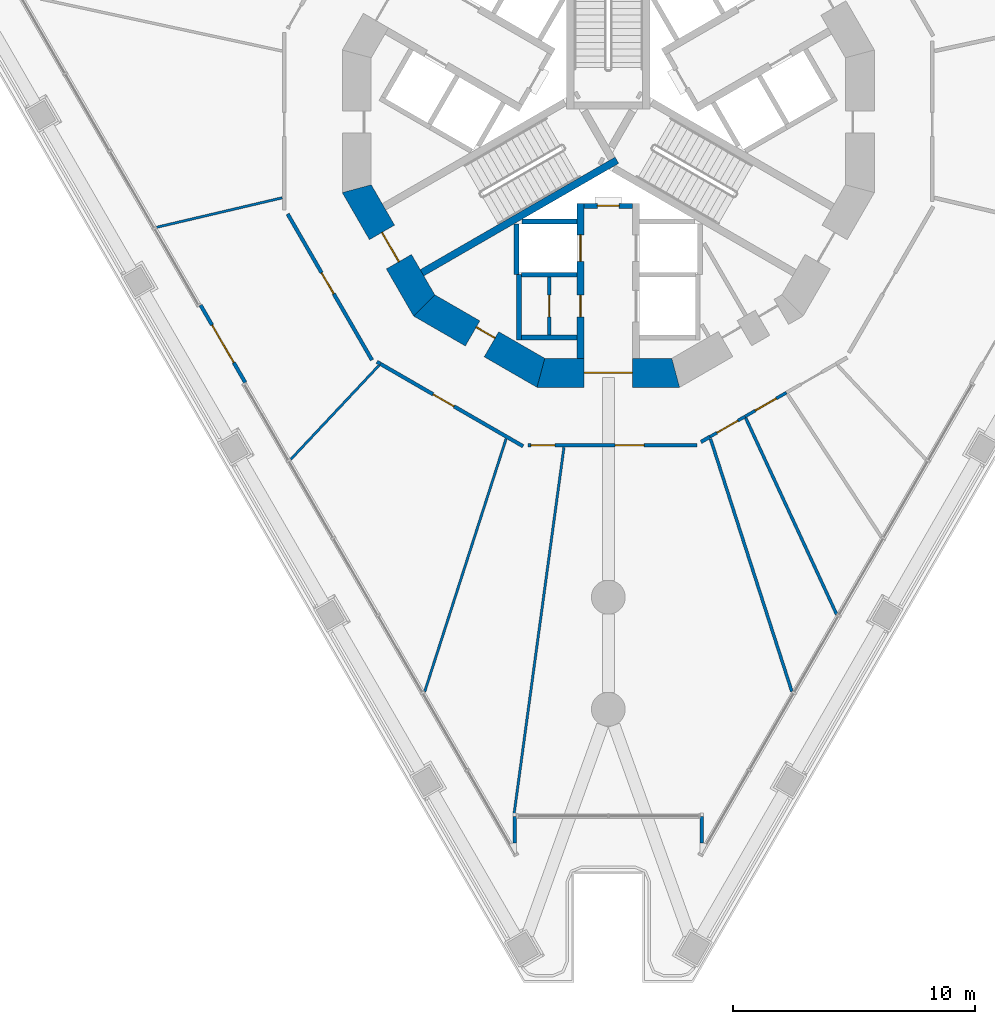
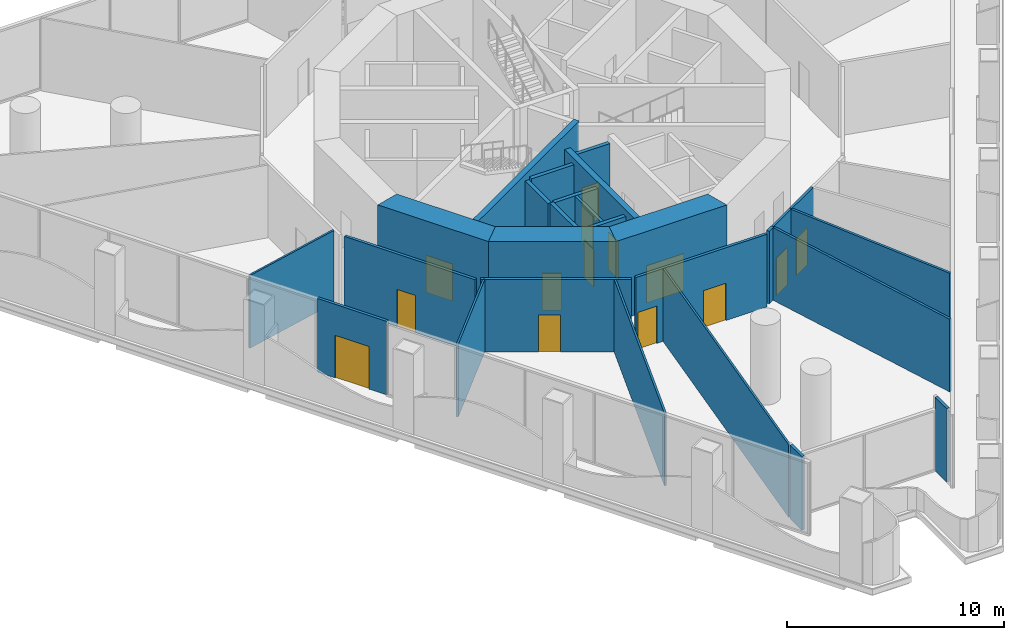
# One storey, part 10 of 21: 28 walls, 14 doors, 14 openings.
"""IFC4 building model written with IfcOpenShell, lengths in metres."""

import ifcopenshell
import ifcopenshell.guid

model = None  # the IFC model being written
_history = None  # IfcOwnerHistory: only IFC2X3 demands one
_inside = {}  # id of a spatial element -> (the spatial element, [elements in it])
_under = {}  # id of a project, library or spatial element -> (it, [spatial elements below it])
_declared = {}  # id of a project -> (the project, [libraries it declares])
_typed = {}  # id of a type object -> (the type object, [elements of that type])
_made_of = {}  # id of a material, layer set ... -> (it, [elements and type objects made of it])


def new_model(schema):
    """Start an empty IFC model of exactly this schema.

    Asked for "IFC4X3", IfcOpenShell would pick the latest addendum, in which some entities
    have other attributes; the version numbers below select the first issue.
    IFC2X3 requires an IfcOwnerHistory on every rooted entity: one is made here for all.
    """
    global model, _history
    if schema == "IFC4X3":
        model = ifcopenshell.file(schema_version=(4, 3, 0, 0))
    else:
        model = ifcopenshell.file(schema=schema)
    _inside.clear()
    _under.clear()
    _declared.clear()
    _typed.clear()
    _made_of.clear()
    _history = None
    if model.schema == "IFC2X3":
        org = make("IfcOrganization", Name="unknown")
        user = make(
            "IfcPersonAndOrganization",
            ThePerson=make("IfcPerson", FamilyName="unknown"),
            TheOrganization=org,
        )
        app = make(
            "IfcApplication",
            ApplicationDeveloper=org,
            Version="unknown",
            ApplicationFullName="unknown",
            ApplicationIdentifier="unknown",
        )
        _history = make(
            "IfcOwnerHistory",
            OwningUser=user,
            OwningApplication=app,
            ChangeAction="ADDED",
            CreationDate=0,
        )
    return model


def make(cls, **values):
    """One entity of the class cls with the attributes given. An attribute that is None is left unset."""
    return model.create_entity(
        cls, **{name: value for name, value in values.items() if value is not None}
    )


def rooted(cls, **values):
    """An entity with a GlobalId (a new one), such as an element, a storey or a relation."""
    return make(cls, GlobalId=ifcopenshell.guid.new(), OwnerHistory=_history, **values)


def si_unit(unit_type, name, prefix=None):
    """IfcSIUnit, for example si_unit("LENGTHUNIT", "METRE", prefix="MILLI")."""
    return make("IfcSIUnit", UnitType=unit_type, Prefix=prefix, Name=name)


def assignment(units):
    """IfcUnitAssignment: the units of a project."""
    return None if units is None else make("IfcUnitAssignment", Units=units)


def point(xyz):
    """IfcCartesianPoint."""
    return None if xyz is None else make("IfcCartesianPoint", Coordinates=xyz)


def direction(xyz):
    """IfcDirection."""
    return None if xyz is None else make("IfcDirection", DirectionRatios=xyz)


def frame(location, z_axis=None, x_axis=None):
    """IfcAxis2Placement3D, a coordinate frame: its origin and axes. An axis left out is left unset."""
    return make(
        "IfcAxis2Placement3D",
        Location=point(location),
        Axis=direction(z_axis),
        RefDirection=direction(x_axis),
    )


def frame_2d(location, x_axis=None):
    """IfcAxis2Placement2D, a coordinate frame in the plane: its origin and x axis."""
    return make(
        "IfcAxis2Placement2D", Location=point(location), RefDirection=direction(x_axis)
    )


def origin():
    """The frame at (0, 0, 0) with its axes left unset."""
    return frame((0.0, 0.0, 0.0))


def place(relative_to, where):
    """IfcLocalPlacement: puts the frame where relative to a parent placement (None: the world)."""
    return make(
        "IfcLocalPlacement", PlacementRelTo=relative_to, RelativePlacement=where
    )


def context(
    kind, dimensions, precision=None, world=None, true_north=None, identifier=None
):
    """IfcGeometricRepresentationContext, for example the 3D "Model" context."""
    return make(
        "IfcGeometricRepresentationContext",
        ContextIdentifier=identifier,
        ContextType=kind,
        CoordinateSpaceDimension=dimensions,
        Precision=precision,
        WorldCoordinateSystem=world,
        TrueNorth=true_north,
    )


def subcontext(parent, identifier, kind, view, scale=None):
    """IfcGeometricRepresentationSubContext, for example "Body" below "Model"."""
    return make(
        "IfcGeometricRepresentationSubContext",
        ContextIdentifier=identifier,
        ContextType=kind,
        ParentContext=parent,
        TargetScale=scale,
        TargetView=view,
    )


def project(units=None, contexts=None):
    """IfcProject with its units and contexts."""
    return rooted(
        "IfcProject",
        Name="project",
        RepresentationContexts=contexts,
        UnitsInContext=assignment(units),
    )


def spatial(cls, under=None, at=None, **own):
    """A site, building, storey or space (cls), placed at a placement, below another one or the project."""
    s = rooted(cls, ObjectPlacement=at, **own)
    if under is not None:
        _under.setdefault(under.id(), (under, []))[1].append(s)
    return s


def polyline(points):
    """IfcPolyline through the points."""
    return make("IfcPolyline", Points=[point(p) for p in points])


def profile(cls, at=None, kind="AREA", **sizes):
    """A parametric profile (cls). Its sizes go by their IFC names, for example OverallWidth=200.0."""
    return make(cls, ProfileType=kind, Position=at, **sizes)


def rectangle(**sizes):
    """IfcRectangleProfileDef."""
    return profile("IfcRectangleProfileDef", **sizes)


def outline(outer, holes=None, kind="AREA"):
    """IfcArbitraryClosedProfileDef: a profile drawn as a closed curve; with holes, ...WithVoids."""
    if holes is None:
        return make("IfcArbitraryClosedProfileDef", ProfileType=kind, OuterCurve=outer)
    return make(
        "IfcArbitraryProfileDefWithVoids",
        ProfileType=kind,
        OuterCurve=outer,
        InnerCurves=holes,
    )


def extrude(swept, where, along, depth):
    """IfcExtrudedAreaSolid: the profile swept, set in the frame where, extruded along a direction by depth."""
    return make(
        "IfcExtrudedAreaSolid",
        SweptArea=swept,
        Position=where,
        ExtrudedDirection=direction(along),
        Depth=depth,
    )


def shape(context_of_items, identifier, shape_type, items):
    """IfcShapeRepresentation: the items that make up one representation, for example the "Body"."""
    return make(
        "IfcShapeRepresentation",
        ContextOfItems=context_of_items,
        RepresentationIdentifier=identifier,
        RepresentationType=shape_type,
        Items=items,
    )


def material(Name=None, Category=None):
    """IfcMaterial."""
    return make("IfcMaterial", Name=Name, Category=Category)


def layer(
    of_material, thickness, ventilated=None, Name=None, Category=None, Priority=None
):
    """IfcMaterialLayer: one layer of a wall or slab, of a material (None: an air gap)."""
    return make(
        "IfcMaterialLayer",
        Material=of_material,
        LayerThickness=thickness,
        IsVentilated=ventilated,
        Name=Name,
        Category=Category,
        Priority=Priority,
    )


def layer_set(layers, Name=None):
    """IfcMaterialLayerSet."""
    return make("IfcMaterialLayerSet", MaterialLayers=layers, LayerSetName=Name)


def made_of(thing, what):
    """Note that an element or type object is made of a material, layer set ...; save() writes the relation."""
    if what is not None:
        _made_of.setdefault(what.id(), (what, []))[1].append(thing)
    return thing


def type_object(cls, material=None, **own):
    """A type object (cls), such as IfcWallType, which elements share."""
    return made_of(rooted(cls, **own), material)


def element(
    cls,
    number,
    at=None,
    inside=None,
    cuts=None,
    type_object=None,
    material=None,
    context=None,
    identifier="Body",
    shape_type=None,
    held_by="IfcProductDefinitionShape",
    body=None,
    shapes=None,
    **own,
):
    """One element of the class cls, such as IfcWall. Its Tag is "e" and its number.

    at: its placement. inside: the storey or other place that contains it. cuts: it is an
    opening in that element (IfcRelVoidsElement). A single representation is given by context,
    identifier, shape_type and body (its items); several are given by shapes. held_by: the class
    of the entity that holds the representations. save() writes the other relations.
    """
    e = rooted(cls, Tag="e%d" % number, ObjectPlacement=at, **own)
    if body is not None:
        shapes = [shape(context, identifier, shape_type, body)]
    if shapes is not None:
        e.Representation = make(held_by, Representations=shapes)
    if inside is not None:
        _inside.setdefault(inside.id(), (inside, []))[1].append(e)
    if cuts is not None:
        rooted(
            "IfcRelVoidsElement", RelatingBuildingElement=cuts, RelatedOpeningElement=e
        )
    if type_object is not None:
        _typed.setdefault(type_object.id(), (type_object, []))[1].append(e)
    return made_of(e, material)


def fill(opening, filler):
    """IfcRelFillsElement: the door or window that sits in an opening."""
    return rooted(
        "IfcRelFillsElement",
        RelatingOpeningElement=opening,
        RelatedBuildingElement=filler,
    )


def aggregate(whole, parts):
    """IfcRelAggregates: a whole, such as a stair, and the parts it consists of."""
    return rooted("IfcRelAggregates", RelatingObject=whole, RelatedObjects=parts)


def save(model, path):
    """Write the relations noted so far, then the file.

    IfcRelAggregates (storeys below a building ...), IfcRelContainedInSpatialStructure (elements
    in a storey), IfcRelDefinesByType, IfcRelAssociatesMaterial and IfcRelDeclares: one each for
    every whole, place, type object, material and project.
    """
    for whole, parts in _under.values():
        aggregate(whole, parts)
    for where, things in _inside.values():
        rooted(
            "IfcRelContainedInSpatialStructure",
            RelatedElements=things,
            RelatingStructure=where,
        )
    for kind, things in _typed.values():
        rooted("IfcRelDefinesByType", RelatedObjects=things, RelatingType=kind)
    for what, things in _made_of.values():
        rooted("IfcRelAssociatesMaterial", RelatedObjects=things, RelatingMaterial=what)
    for by, libraries in _declared.values():
        rooted("IfcRelDeclares", RelatingContext=by, RelatedDefinitions=libraries)
    model.write(path)


model = new_model("IFC4")

# Units and contexts
model_context = context("Model", 3, precision=1e-05, world=origin(), true_north=direction((0.0, 1.0)))
body_context = subcontext(model_context, "Body", "Model", "MODEL_VIEW")
ifc_project = project(units=[si_unit("LENGTHUNIT", "METRE"), si_unit("AREAUNIT", "SQUARE_METRE"), si_unit("VOLUMEUNIT", "CUBIC_METRE"), si_unit("PLANEANGLEUNIT", "RADIAN"), si_unit("MASSUNIT", "GRAM", prefix="KILO")], contexts=[model_context])

# Site, building, storey
site_placement = place(None, origin())
site = spatial("IfcSite", under=ifc_project, at=site_placement, CompositionType="ELEMENT")
building_placement = place(site_placement, origin())
building = spatial("IfcBuilding", under=site, at=building_placement, Name="Trine Commons Tower", CompositionType="ELEMENT")
storey_placement = place(building_placement, frame((0.0, 0.0, 9.0)))
storey = spatial("IfcBuildingStorey", under=building, at=storey_placement, Name="L01", CompositionType="ELEMENT", Elevation=9.0)

# Wall, opening, door
ifc_material_1 = material(Name="Plasterboard on steel stud", Category="steel")
ifc_layer_1 = layer(ifc_material_1, 0.14990234375)
ifc_layer_set_1 = layer_set([ifc_layer_1], Name="Plasterboard on steel stud")
wall_type_1 = type_object("IfcWallType", Name="Compartment wall 150 mm, EI 60", PredefinedType="PARTITIONING", material=ifc_layer_set_1)
wall_1_placement = place(storey_placement, frame((70.219482421875, 52.6171875, 0.0), z_axis=(0.0, 0.0, 1.0), x_axis=(-0.49997871953, 0.866037689721, 0.0)))
wall_1 = element("IfcWall", 1, at=wall_1_placement, inside=storey, type_object=wall_type_1, Name="Partition P1006", PredefinedType="PARTITIONING", context=body_context, shape_type="SweptSolid", body=[
    extrude(rectangle(XDim=6.982177734375, YDim=0.14990234375, at=frame_2d((3.4912109375, 0.0))), origin(), (0.0, 0.0, 1.0), 4.10009765625),
])
opening_1_placement = place(wall_1_placement, frame((3.168701171875, 0.0, 0.0)))
opening_1 = element("IfcOpeningElement", 2, at=opening_1_placement, cuts=wall_1, Name="Opening D-P102", PredefinedType="OPENING", context=body_context, shape_type="SweptSolid", body=[
    extrude(rectangle(XDim=1.0, YDim=2.10009765625, at=frame_2d((0.5, 1.050048828125))), frame((0.0, 0.0849609375, 0.0), z_axis=(0.0, -1.0, 0.0), x_axis=(1.0, 0.0, 0.0)), (0.0, 0.0, 1.0), 0.169921875),
])
ifc_material_2 = material(Name="Timber fire door set", Category="wood")
door_type_1 = type_object("IfcDoorType", Name="Single swing door 1000x2100, FD30S", OperationType="SINGLE_SWING_LEFT", PredefinedType="DOOR", material=ifc_material_2)
door_1_placement = place(opening_1_placement, origin())
door_1 = element("IfcDoor", 3, at=door_1_placement, inside=storey, type_object=door_type_1, Name="Door D-P102", OperationType="SINGLE_SWING_LEFT", OverallHeight=2.10009765625, OverallWidth=1.0, PredefinedType="DOOR", context=body_context, shape_type="SweptSolid", body=[
    extrude(rectangle(XDim=1.0, YDim=2.10009765625, at=frame_2d((0.5, 1.050048828125))), frame((0.0, 0.02490234375, 0.0), z_axis=(0.0, -1.0, 0.0), x_axis=(1.0, 0.0, 0.0)), (0.0, 0.0, 1.0), 0.050048828125),
])
fill(opening_1, door_1)

# Wall
wall_2_placement = place(storey_placement, frame((70.424560546875, 52.5419921875, 0.0), z_axis=(0.0, 0.0, 1.0), x_axis=(0.866286070807, -0.499548239438, 0.0)))
element("IfcWall", 4, at=wall_2_placement, inside=storey, type_object=wall_type_1, Name="Partition P1009", PredefinedType="PARTITIONING", context=body_context, shape_type="SweptSolid", body=[
    extrude(rectangle(XDim=0.161865234375, YDim=0.14990234375, at=frame_2d((0.0810546875, 0.0))), origin(), (0.0, 0.0, 1.0), 4.10009765625),
])

# Wall, opening, door
wall_3_placement = place(storey_placement, frame((76.471435546875, 49.051025390625, 0.0), z_axis=(0.0, 0.0, 1.0), x_axis=(-0.866028115054, 0.499995303914, 0.0)))
wall_3 = element("IfcWall", 5, at=wall_3_placement, inside=storey, type_object=wall_type_1, Name="Partition P1011", PredefinedType="PARTITIONING", context=body_context, shape_type="SweptSolid", body=[
    extrude(rectangle(XDim=6.81591796875, YDim=0.14990234375, at=frame_2d((3.407958984375, 0.0))), origin(), (0.0, 0.0, 1.0), 4.10009765625),
])
opening_2_placement = place(wall_3_placement, frame((3.297607421875, 0.0, 0.0)))
opening_2 = element("IfcOpeningElement", 6, at=opening_2_placement, cuts=wall_3, Name="Opening D-P106", PredefinedType="OPENING", context=body_context, shape_type="SweptSolid", body=[
    extrude(rectangle(XDim=1.0, YDim=2.10009765625, at=frame_2d((0.5, 1.050048828125))), frame((0.0, 0.0849609375, 0.0), z_axis=(0.0, -1.0, 0.0), x_axis=(1.0, 0.0, 0.0)), (0.0, 0.0, 1.0), 0.169921875),
])
door_2_placement = place(opening_2_placement, origin())
door_2 = element("IfcDoor", 7, at=door_2_placement, inside=storey, type_object=door_type_1, Name="Door D-P106", OperationType="SINGLE_SWING_LEFT", OverallHeight=2.10009765625, OverallWidth=1.0, PredefinedType="DOOR", context=body_context, shape_type="SweptSolid", body=[
    extrude(rectangle(XDim=1.0, YDim=2.10009765625, at=frame_2d((0.5, 1.050048828125))), frame((0.0, 0.02490234375, 0.0), z_axis=(0.0, -1.0, 0.0), x_axis=(1.0, 0.0, 0.0)), (0.0, 0.0, 1.0), 0.050048828125),
])
fill(opening_2, door_2)

# Wall, openings, doors
wall_4_placement = place(storey_placement, frame((83.668701171875, 49.08837890625, 0.0), z_axis=(0.0, 0.0, 1.0), x_axis=(-1.0, 0.0, 0.0)))
wall_4 = element("IfcWall", 8, at=wall_4_placement, inside=storey, type_object=wall_type_1, Name="Partition P1015", PredefinedType="PARTITIONING", context=body_context, shape_type="SweptSolid", body=[
    extrude(rectangle(XDim=6.982421875, YDim=0.14990234375, at=frame_2d((3.4912109375, 0.0))), origin(), (0.0, 0.0, 1.0), 4.10009765625),
])
opening_3_placement = place(wall_4_placement, frame((5.87744140625, 0.0, 0.0)))
opening_3 = element("IfcOpeningElement", 9, at=opening_3_placement, cuts=wall_4, Name="Opening D-P107", PredefinedType="OPENING", context=body_context, shape_type="SweptSolid", body=[
    extrude(rectangle(XDim=1.0, YDim=2.10009765625, at=frame_2d((0.5, 1.050048828125))), frame((0.0, 0.0849609375, 0.0), z_axis=(0.0, -1.0, 0.0), x_axis=(1.0, 0.0, 0.0)), (0.0, 0.0, 1.0), 0.169921875),
])
opening_4_placement = place(wall_4_placement, frame((2.18408203125, 0.0, 0.0)))
opening_4 = element("IfcOpeningElement", 10, at=opening_4_placement, cuts=wall_4, Name="Opening D-P108", PredefinedType="OPENING", context=body_context, shape_type="SweptSolid", body=[
    extrude(rectangle(XDim=1.199951171875, YDim=2.10009765625, at=frame_2d((0.60009765625, 1.050048828125))), frame((0.0, 0.0849609375, 0.0), z_axis=(0.0, -1.0, 0.0), x_axis=(1.0, 0.0, 0.0)), (0.0, 0.0, 1.0), 0.169921875),
])
door_3_placement = place(opening_3_placement, origin())
door_3 = element("IfcDoor", 11, at=door_3_placement, inside=storey, type_object=door_type_1, Name="Door D-P107", OperationType="SINGLE_SWING_LEFT", OverallHeight=2.10009765625, OverallWidth=1.0, PredefinedType="DOOR", context=body_context, shape_type="SweptSolid", body=[
    extrude(rectangle(XDim=1.0, YDim=2.10009765625, at=frame_2d((0.5, 1.050048828125))), frame((0.0, 0.02490234375, 0.0), z_axis=(0.0, -1.0, 0.0), x_axis=(1.0, 0.0, 0.0)), (0.0, 0.0, 1.0), 0.050048828125),
])
fill(opening_3, door_3)
door_type_2 = type_object("IfcDoorType", Name="Single swing door 1200x2100, FD30S", OperationType="SINGLE_SWING_LEFT", PredefinedType="DOOR", material=ifc_material_2)
door_4_placement = place(opening_4_placement, origin())
door_4 = element("IfcDoor", 12, at=door_4_placement, inside=storey, type_object=door_type_2, Name="Door D-P108", OperationType="SINGLE_SWING_LEFT", OverallHeight=2.10009765625, OverallWidth=1.199951171875, PredefinedType="DOOR", context=body_context, shape_type="SweptSolid", body=[
    extrude(rectangle(XDim=1.199951171875, YDim=2.10009765625, at=frame_2d((0.60009765625, 1.050048828125))), frame((0.0, 0.02490234375, 0.0), z_axis=(0.0, -1.0, 0.0), x_axis=(1.0, 0.0, 0.0)), (0.0, 0.0, 1.0), 0.050048828125),
])
fill(opening_4, door_4)

# Wall
wall_5_placement = place(storey_placement, frame((83.8359375, 49.228515625, 0.0), z_axis=(0.0, 0.0, 1.0), x_axis=(0.866042039906, 0.499971184285, 0.0)))
element("IfcWall", 13, at=wall_5_placement, inside=storey, type_object=wall_type_1, Name="Partition P1019", PredefinedType="PARTITIONING", context=body_context, shape_type="SweptSolid", body=[
    extrude(rectangle(XDim=0.4248046875, YDim=0.14990234375, at=frame_2d((0.21240234375, 0.0))), origin(), (0.0, 0.0, 1.0), 4.10009765625),
])

# Wall, opening, door
ifc_material_3 = material(Name="Plasterboard partition on steel studs", Category="steel")
ifc_layer_2 = layer(ifc_material_3, 0.14990234375)
ifc_layer_set_2 = layer_set([ifc_layer_2], Name="Plasterboard partition on steel studs")
wall_type_2 = type_object("IfcWallType", Name="Core room partition 150 mm, EI 60", PredefinedType="PARTITIONING", material=ifc_layer_set_2)
wall_6_placement = place(storey_placement, frame((77.550048828125, 56.050048828125, 0.0), z_axis=(0.0, 0.0, 1.0), x_axis=(0.0, -1.0, 0.0)))
wall_6 = element("IfcWall", 14, at=wall_6_placement, inside=storey, type_object=wall_type_2, Name="Core room partition L01", PredefinedType="PARTITIONING", context=body_context, shape_type="SweptSolid", body=[
    extrude(rectangle(XDim=2.400146484375, YDim=0.14990234375, at=frame_2d((1.2001953125, 0.0))), origin(), (0.0, 0.0, 1.0), 4.14990234375),
])
opening_5_placement = place(wall_6_placement, frame((0.75, 0.0, 0.0)))
opening_5 = element("IfcOpeningElement", 15, at=opening_5_placement, cuts=wall_6, Name="Opening K04.11", PredefinedType="OPENING", context=body_context, shape_type="SweptSolid", body=[
    extrude(rectangle(XDim=0.89990234375, YDim=2.10009765625, at=frame_2d((0.449951171875, 1.050048828125))), frame((0.0, 0.0849609375, 0.0), z_axis=(0.0, -1.0, 0.0), x_axis=(1.0, 0.0, 0.0)), (0.0, 0.0, 1.0), 0.169921875),
])
ifc_material_4 = material(Name="Steel door leaf, fire-rated", Category="steel")
door_type_3 = type_object("IfcDoorType", Name="Core room door, single leaf 900 x 2100, FD30S", OperationType="SINGLE_SWING_LEFT", PredefinedType="DOOR", material=ifc_material_4)
door_5_placement = place(opening_5_placement, frame((0.89990234375, 0.0, 0.0), z_axis=(0.0, 0.0, 1.0), x_axis=(-1.0, 0.0, 0.0)))
door_5 = element("IfcDoor", 16, at=door_5_placement, inside=storey, type_object=door_type_3, Name="Door to Comms room L01", OperationType="SINGLE_SWING_LEFT", OverallHeight=2.10009765625, OverallWidth=0.89990234375, PredefinedType="DOOR", context=body_context, shape_type="SweptSolid", body=[
    extrude(rectangle(XDim=0.89990234375, YDim=2.10009765625, at=frame_2d((0.449951171875, 1.050048828125))), frame((0.0, 0.02490234375, 0.0), z_axis=(0.0, -1.0, 0.0), x_axis=(1.0, 0.0, 0.0)), (0.0, 0.0, 1.0), 0.050048828125),
])
fill(opening_5, door_5)

ifc_material_5 = material(Name="Aluminium-framed insulated wall panel", Category="aluminium")
ifc_layer_3 = layer(ifc_material_5, 0.14990234375)
ifc_layer_set_3 = layer_set([ifc_layer_3], Name="Aluminium-framed insulated wall panel")
wall_type_3 = type_object("IfcWallType", Name="Glazed entrance wall 150, EI 60", PredefinedType="SOLIDWALL", material=ifc_layer_set_3)
wall_7_placement = place(storey_placement, frame((64.972900390625, 51.688232421875, 0.0), z_axis=(0.0, 0.0, 1.0), x_axis=(-0.499979560991, 0.86603720393, 0.0)))
wall_7 = element("IfcWall", 17, at=wall_7_placement, inside=storey, type_object=wall_type_3, Name="Glazed entrance wall L01 F3 7", PredefinedType="SOLIDWALL", context=body_context, shape_type="SweptSolid", body=[
    extrude(rectangle(XDim=3.698974609375, YDim=0.14990234375, at=frame_2d((1.849609375, 0.0))), origin(), (0.0, 0.0, 1.0), 4.14990234375),
])
opening_6_placement = place(wall_7_placement, frame((0.949462890625, 0.0, 0.0)))
opening_6 = element("IfcOpeningElement", 18, at=opening_6_placement, cuts=wall_7, Name="Opening SD-L01-F3-07", PredefinedType="OPENING", context=body_context, shape_type="SweptSolid", body=[
    extrude(rectangle(XDim=1.800048828125, YDim=2.39990234375, at=frame_2d((0.89990234375, 1.199951171875))), frame((0.0, 0.0849609375, 0.0), z_axis=(0.0, -1.0, 0.0), x_axis=(1.0, 0.0, 0.0)), (0.0, 0.0, 1.0), 0.169921875),
])
ifc_material_6 = material(Name="Anodised aluminium frame with double glazing", Category="aluminium")
door_type_4 = type_object("IfcDoorType", Name="Sliding double door 1800x2400", OperationType="DOUBLE_DOOR_SLIDING", PredefinedType="DOOR", material=ifc_material_6)
door_6_placement = place(opening_6_placement, origin())
door_6 = element("IfcDoor", 19, at=door_6_placement, inside=storey, type_object=door_type_4, Name="Loggia door L01 F3 7", OperationType="DOUBLE_DOOR_SLIDING", OverallHeight=2.39990234375, OverallWidth=1.800048828125, PredefinedType="DOOR", context=body_context, shape_type="SweptSolid", body=[
    extrude(rectangle(XDim=1.800048828125, YDim=2.39990234375, at=frame_2d((0.89990234375, 1.199951171875))), frame((0.0, 0.02490234375, 0.0), z_axis=(0.0, -1.0, 0.0), x_axis=(1.0, 0.0, 0.0)), (0.0, 0.0, 1.0), 0.050048828125),
])
fill(opening_6, door_6)

# Walls
ifc_layer_4 = layer(ifc_material_5, 0.14990234375)
ifc_layer_set_4 = layer_set([ifc_layer_4], Name="Aluminium-framed insulated wall panel")
wall_type_4 = type_object("IfcWallType", Name="Glazed frame wall 150, EI 60", PredefinedType="SOLIDWALL", material=ifc_layer_set_4)
wall_8_placement = place(storey_placement, frame((83.864990234375, 32.48583984375, 0.0), z_axis=(0.0, 0.0, 1.0), x_axis=(0.0, 1.0, 0.0)))
element("IfcWall", 20, at=wall_8_placement, inside=storey, type_object=wall_type_4, Name="Glazed frame wall L01 R9", PredefinedType="SOLIDWALL", context=body_context, shape_type="SweptSolid", body=[
    extrude(outline(polyline([(0.1494140625, 0.074951171875), (0.1494140625, -0.074951171875), (1.235107421875, -0.074951171875), (1.235107421875, 0.074951171875), (0.1494140625, 0.074951171875)])), origin(), (0.0, 0.0, 1.0), 4.14990234375),
])
wall_9_placement = place(storey_placement, frame((76.135009765625, 33.830810546875, 0.0), z_axis=(0.0, 0.0, 1.0), x_axis=(0.0, -1.0, 0.0)))
element("IfcWall", 21, at=wall_9_placement, inside=storey, type_object=wall_type_4, Name="Glazed frame wall L01 R11", PredefinedType="SOLIDWALL", context=body_context, shape_type="SweptSolid", body=[
    extrude(outline(polyline([(0.110107421875, 0.074951171875), (0.110107421875, -0.074951171875), (1.19580078125, -0.074951171875), (1.19580078125, 0.074951171875), (0.110107421875, 0.074951171875)])), origin(), (0.0, 0.0, 1.0), 4.14990234375),
])

# Wall, opening, door
ifc_material_7 = material(Name="Fire-rated gypsum shaft wall system")
ifc_layer_5 = layer(ifc_material_7, 0.199951171875)
ifc_layer_set_5 = layer_set([ifc_layer_5], Name="Fire-rated gypsum shaft wall system")
wall_type_5 = type_object("IfcWallType", Name="Lobby end wall 200 mm, EI 120", PredefinedType="PARTITIONING", material=ifc_layer_set_5)
wall_10_placement = place(storey_placement, frame((79.0, 59.0, 0.0), z_axis=(0.0, 0.0, 1.0), x_axis=(1.0, 0.0, 0.0)))
wall_10 = element("IfcWall", 22, at=wall_10_placement, inside=storey, type_object=wall_type_5, Name="Lobby end wall L01", PredefinedType="PARTITIONING", context=body_context, shape_type="SweptSolid", body=[
    extrude(rectangle(XDim=2.0, YDim=0.199951171875, at=frame_2d((1.0, 0.0))), origin(), (0.0, 0.0, 1.0), 4.14990234375),
])
opening_7_placement = place(wall_10_placement, frame((0.550048828125, 0.0, 0.0)))
opening_7 = element("IfcOpeningElement", 23, at=opening_7_placement, cuts=wall_10, Name="Opening K04.09", PredefinedType="OPENING", context=body_context, shape_type="SweptSolid", body=[
    extrude(rectangle(XDim=0.89990234375, YDim=2.10009765625, at=frame_2d((0.449951171875, 1.050048828125))), frame((0.0, 0.10986328125, 0.0), z_axis=(0.0, -1.0, 0.0), x_axis=(1.0, 0.0, 0.0)), (0.0, 0.0, 1.0), 0.219970703125),
])
door_type_5 = type_object("IfcDoorType", Name="Riser access door, single leaf 900 x 2100, FD60", OperationType="SINGLE_SWING_LEFT", PredefinedType="DOOR", material=ifc_material_4)
door_7_placement = place(opening_7_placement, frame((0.89990234375, 0.0, 0.0), z_axis=(0.0, 0.0, 1.0), x_axis=(-1.0, 0.0, 0.0)))
door_7 = element("IfcDoor", 24, at=door_7_placement, inside=storey, type_object=door_type_5, Name="Riser door, Communications riser L01", OperationType="SINGLE_SWING_RIGHT", OverallHeight=2.10009765625, OverallWidth=0.89990234375, PredefinedType="DOOR", context=body_context, shape_type="SweptSolid", body=[
    extrude(rectangle(XDim=0.89990234375, YDim=2.10009765625, at=frame_2d((0.449951171875, 1.050048828125))), frame((0.0, 0.02490234375, 0.0), z_axis=(0.0, -1.0, 0.0), x_axis=(1.0, 0.0, 0.0)), (0.0, 0.0, 1.0), 0.050048828125),
])
fill(opening_7, door_7)

# Walls
ifc_layer_6 = layer(ifc_material_1, 0.10009765625)
ifc_layer_set_6 = layer_set([ifc_layer_6], Name="Plasterboard on steel stud")
wall_type_6 = type_object("IfcWallType", Name="Partition wall 100 mm stud, not rated", PredefinedType="PARTITIONING", material=ifc_layer_set_6)
wall_11_placement = place(storey_placement, frame((61.304443359375, 58.112548828125, 0.0), z_axis=(0.0, 0.0, 1.0), x_axis=(0.973551342876, 0.228468340881, 0.0)))
element("IfcWall", 25, at=wall_11_placement, inside=storey, type_object=wall_type_6, Name="Partition P1003", PredefinedType="PARTITIONING", context=body_context, shape_type="SweptSolid", body=[
    extrude(rectangle(XDim=5.338623046875, YDim=0.10009765625, at=frame_2d((2.66943359375, 0.0))), origin(), (0.0, 0.0, 1.0), 4.10009765625),
])
wall_12_placement = place(storey_placement, frame((66.852783203125, 48.50244140625, 0.0), z_axis=(0.0, 0.0, 1.0), x_axis=(0.684628350016, 0.728892325625, 0.0)))
element("IfcWall", 26, at=wall_12_placement, inside=storey, type_object=wall_type_6, Name="Partition P1008", PredefinedType="PARTITIONING", context=body_context, shape_type="SweptSolid", body=[
    extrude(rectangle(XDim=5.339111328125, YDim=0.10009765625, at=frame_2d((2.66943359375, 0.0))), origin(), (0.0, 0.0, 1.0), 4.10009765625),
])
wall_13_placement = place(storey_placement, frame((72.401123046875, 38.892578125, 0.0), z_axis=(0.0, 0.0, 1.0), x_axis=(0.306397337524, 0.951903709184, 0.0)))
element("IfcWall", 27, at=wall_13_placement, inside=storey, type_object=wall_type_6, Name="Partition P1012", PredefinedType="PARTITIONING", context=body_context, shape_type="SweptSolid", body=[
    extrude(rectangle(XDim=10.99365234375, YDim=0.10009765625, at=frame_2d((5.496826171875, 0.0))), origin(), (0.0, 0.0, 1.0), 4.10009765625),
])
wall_14_placement = place(storey_placement, frame((76.10009765625, 33.830810546875, 0.0), z_axis=(0.0, 0.0, 1.0), x_axis=(0.13479451319, 0.990873573779, 0.0)))
element("IfcWall", 28, at=wall_14_placement, inside=storey, type_object=wall_type_6, Name="Partition P1014", PredefinedType="PARTITIONING", context=body_context, shape_type="SweptSolid", body=[
    extrude(rectangle(XDim=15.315673828125, YDim=0.10009765625, at=frame_2d((7.65771484375, 0.0))), origin(), (0.0, 0.0, 1.0), 4.10009765625),
])

# Wall, opening, door
ifc_material_8 = material(Name="Concrete C80/95", Category="concrete")
ifc_layer_7 = layer(ifc_material_8, 1.199951171875)
ifc_layer_set_7 = layer_set([ifc_layer_7], Name="Concrete C80/95")
wall_type_7 = type_object("IfcWallType", Name="RC shear wall 1200 mm, C80/95", PredefinedType="SHEAR", material=ifc_layer_set_7)
wall_15_placement = place(storey_placement, frame((69.508056640625, 59.849609375, 0.0), z_axis=(0.0, 0.0, 1.0), x_axis=(0.499979111662, -0.866037463336, 0.0)))
wall_15 = element("IfcWall", 29, at=wall_15_placement, inside=storey, type_object=wall_type_7, Name="Core wall CWA-08 L01", PredefinedType="SHEAR", context=body_context, shape_type="SweptSolid", body=[
    extrude(outline(polyline([(0.0, -0.60009765625), (5.901123046875, -0.60009765625), (5.57958984375, 0.60009765625), (0.321533203125, 0.60009765625), (0.0, -0.60009765625)])), origin(), (0.0, 0.0, 1.0), 4.5),
])
opening_8_placement = place(wall_15_placement, frame((2.25048828125, 0.0, 0.0)))
opening_8 = element("IfcOpeningElement", 30, at=opening_8_placement, cuts=wall_15, Name="Opening K04.02", PredefinedType="OPENING", context=body_context, shape_type="SweptSolid", body=[
    extrude(rectangle(XDim=1.39990234375, YDim=2.10009765625, at=frame_2d((0.699951171875, 1.050048828125))), frame((0.0, 0.60986328125, 0.0), z_axis=(0.0, -1.0, 0.0), x_axis=(1.0, 0.0, 0.0)), (0.0, 0.0, 1.0), 1.219970703125),
])
ifc_material_9 = material(Name="Steel door leaves, fire-rated", Category="steel")
door_type_6 = type_object("IfcDoorType", Name="Stair door, double leaf 1400 x 2100, FD90", OperationType="DOUBLE_DOOR_SINGLE_SWING", PredefinedType="DOOR", material=ifc_material_9)
door_8_placement = place(opening_8_placement, origin())
door_8 = element("IfcDoor", 31, at=door_8_placement, inside=storey, type_object=door_type_6, Name="Stair door to Exit stair ST2A L01", OperationType="DOUBLE_DOOR_SINGLE_SWING", OverallHeight=2.10009765625, OverallWidth=1.39990234375, PredefinedType="DOOR", context=body_context, shape_type="SweptSolid", body=[
    extrude(rectangle(XDim=1.39990234375, YDim=2.10009765625, at=frame_2d((0.699951171875, 1.050048828125))), frame((0.0, 0.02490234375, 0.0), z_axis=(0.0, -1.0, 0.0), x_axis=(1.0, 0.0, 0.0)), (0.0, 0.0, 1.0), 0.050048828125),
])
fill(opening_8, door_8)

wall_16_placement = place(storey_placement, frame((72.239013671875, 54.95849609375, 0.0), z_axis=(0.0, 0.0, 1.0), x_axis=(0.866037463336, -0.499979111662, 0.0)))
wall_16 = element("IfcWall", 32, at=wall_16_placement, inside=storey, type_object=wall_type_7, Name="Core wall CWA-09 L01", PredefinedType="SHEAR", context=body_context, shape_type="SweptSolid", body=[
    extrude(outline(polyline([(0.0, -0.60009765625), (5.901123046875, -0.60009765625), (5.57958984375, 0.60009765625), (0.321533203125, 0.60009765625), (0.0, -0.60009765625)])), origin(), (0.0, 0.0, 1.0), 4.5),
])
opening_9_placement = place(wall_16_placement, frame((2.4765625, 0.0, 0.0)))
opening_9 = element("IfcOpeningElement", 33, at=opening_9_placement, cuts=wall_16, Name="Opening K04.15", PredefinedType="OPENING", context=body_context, shape_type="SweptSolid", body=[
    extrude(rectangle(XDim=0.89990234375, YDim=2.10009765625, at=frame_2d((0.449951171875, 1.050048828125))), frame((0.0, 0.60986328125, 0.0), z_axis=(0.0, -1.0, 0.0), x_axis=(1.0, 0.0, 0.0)), (0.0, 0.0, 1.0), 1.219970703125),
])
door_9_placement = place(opening_9_placement, origin())
door_9 = element("IfcDoor", 34, at=door_9_placement, inside=storey, type_object=door_type_3, Name="Door to Cleaner's store L01", OperationType="SINGLE_SWING_LEFT", OverallHeight=2.10009765625, OverallWidth=0.89990234375, PredefinedType="DOOR", context=body_context, shape_type="SweptSolid", body=[
    extrude(rectangle(XDim=0.89990234375, YDim=2.10009765625, at=frame_2d((0.449951171875, 1.050048828125))), frame((0.0, 0.3251953125, 0.0), z_axis=(0.0, -1.0, 0.0), x_axis=(1.0, 0.0, 0.0)), (0.0, 0.0, 1.0), 0.050048828125),
])
fill(opening_9, door_9)

wall_17_placement = place(storey_placement, frame((77.049560546875, 52.08837890625, 0.0), z_axis=(0.0, 0.0, 1.0), x_axis=(1.0, 0.0, 0.0)))
wall_17 = element("IfcWall", 35, at=wall_17_placement, inside=storey, type_object=wall_type_7, Name="Core wall CWA-10 L01", PredefinedType="SHEAR", context=body_context, shape_type="SweptSolid", body=[
    extrude(outline(polyline([(0.0, -0.60009765625), (5.90087890625, -0.60009765625), (5.57958984375, 0.60009765625), (0.321533203125, 0.60009765625), (0.0, -0.60009765625)])), origin(), (0.0, 0.0, 1.0), 4.5),
])
opening_10_placement = place(wall_17_placement, frame((1.950439453125, 0.0, 0.0)))
opening_10 = element("IfcOpeningElement", 36, at=opening_10_placement, cuts=wall_17, Name="Opening K04.08", PredefinedType="OPENING", context=body_context, shape_type="SweptSolid", body=[
    extrude(rectangle(XDim=2.0, YDim=2.10009765625, at=frame_2d((1.0, 1.050048828125))), frame((0.0, 0.60986328125, 0.0), z_axis=(0.0, -1.0, 0.0), x_axis=(1.0, 0.0, 0.0)), (0.0, 0.0, 1.0), 1.219970703125),
])
door_type_7 = type_object("IfcDoorType", Name="Lobby door, double leaf 2000 x 2100, FD60", OperationType="DOUBLE_DOOR_SINGLE_SWING", PredefinedType="DOOR", material=ifc_material_9)
door_10_placement = place(opening_10_placement, origin())
door_10 = element("IfcDoor", 37, at=door_10_placement, inside=storey, type_object=door_type_7, Name="Lobby door, Service and firefighting lobby L01", OperationType="DOUBLE_DOOR_SINGLE_SWING", OverallHeight=2.10009765625, OverallWidth=2.0, PredefinedType="DOOR", context=body_context, shape_type="SweptSolid", body=[
    extrude(rectangle(XDim=2.0, YDim=2.10009765625, at=frame_2d((1.0, 1.050048828125))), frame((0.0, 0.02490234375, 0.0), z_axis=(0.0, -1.0, 0.0), x_axis=(1.0, 0.0, 0.0)), (0.0, 0.0, 1.0), 0.050048828125),
])
fill(opening_10, door_10)

# Wall, openings, doors
ifc_layer_8 = layer(ifc_material_8, 0.300048828125)
ifc_layer_set_8 = layer_set([ifc_layer_8], Name="Concrete C80/95")
wall_type_8 = type_object("IfcWallType", Name="RC shear wall 300 mm, C80/95", PredefinedType="SHEAR", material=ifc_layer_set_8)
wall_18_placement = place(storey_placement, frame((78.85009765625, 59.10009765625, 0.0), z_axis=(0.0, 0.0, 1.0), x_axis=(0.0, -1.0, 0.0)))
wall_18 = element("IfcWall", 38, at=wall_18_placement, inside=storey, type_object=wall_type_8, Name="Core cross wall SWA-03 L01", PredefinedType="SHEAR", context=body_context, shape_type="SweptSolid", body=[
    extrude(rectangle(XDim=6.412109375, YDim=0.300048828125, at=frame_2d((3.2060546875, 0.0))), origin(), (0.0, 0.0, 1.0), 4.5),
])
opening_11_placement = place(wall_18_placement, frame((3.800048828125, 0.0, 0.0)))
opening_11 = element("IfcOpeningElement", 39, at=opening_11_placement, cuts=wall_18, Name="Opening K04.10", PredefinedType="OPENING", context=body_context, shape_type="SweptSolid", body=[
    extrude(rectangle(XDim=0.89990234375, YDim=2.10009765625, at=frame_2d((0.449951171875, 1.050048828125))), frame((0.0, 0.159912109375, 0.0), z_axis=(0.0, -1.0, 0.0), x_axis=(1.0, 0.0, 0.0)), (0.0, 0.0, 1.0), 0.320068359375),
])
opening_12_placement = place(wall_18_placement, frame((1.300048828125, 0.0, 0.0)))
opening_12 = element("IfcOpeningElement", 40, at=opening_12_placement, cuts=wall_18, Name="Opening LD10", PredefinedType="OPENING", context=body_context, shape_type="SweptSolid", body=[
    extrude(rectangle(XDim=1.10009765625, YDim=2.10009765625, at=frame_2d((0.550048828125, 1.050048828125))), frame((0.0, 0.159912109375, 0.0), z_axis=(0.0, -1.0, 0.0), x_axis=(1.0, 0.0, 0.0)), (0.0, 0.0, 1.0), 0.320068359375),
])
door_11_placement = place(opening_11_placement, frame((0.89990234375, 0.0, 0.0), z_axis=(0.0, 0.0, 1.0), x_axis=(-1.0, 0.0, 0.0)))
door_11 = element("IfcDoor", 41, at=door_11_placement, inside=storey, type_object=door_type_3, Name="Door to Pantry L01", OperationType="SINGLE_SWING_RIGHT", OverallHeight=2.10009765625, OverallWidth=0.89990234375, PredefinedType="DOOR", context=body_context, shape_type="SweptSolid", body=[
    extrude(rectangle(XDim=0.89990234375, YDim=2.10009765625, at=frame_2d((0.449951171875, 1.050048828125))), frame((0.0, 0.02490234375, 0.0), z_axis=(0.0, -1.0, 0.0), x_axis=(1.0, 0.0, 0.0)), (0.0, 0.0, 1.0), 0.050048828125),
])
fill(opening_11, door_11)
ifc_material_10 = material(Name="Stainless steel sliding door leaves", Category="steel")
door_type_8 = type_object("IfcDoorType", Name="Lift landing door, centre-opening sliding 1100 x 2100, FD90", OperationType="DOUBLE_DOOR_SLIDING", PredefinedType="DOOR", material=ifc_material_10)
door_12_placement = place(opening_12_placement, origin())
door_12 = element("IfcDoor", 42, at=door_12_placement, inside=storey, type_object=door_type_8, Name="Lift landing door FF2 L01", OperationType="DOUBLE_DOOR_SLIDING", OverallHeight=2.10009765625, OverallWidth=1.10009765625, PredefinedType="DOOR", context=body_context, shape_type="SweptSolid", body=[
    extrude(rectangle(XDim=1.10009765625, YDim=2.10009765625, at=frame_2d((0.550048828125, 1.050048828125))), frame((0.0, 0.02490234375, 0.0), z_axis=(0.0, -1.0, 0.0), x_axis=(1.0, 0.0, 0.0)), (0.0, 0.0, 1.0), 0.050048828125),
])
fill(opening_12, door_12)

# Walls
wall_19_placement = place(storey_placement, frame((80.35400390625, 60.885986328125, 0.0), z_axis=(0.0, 0.0, 1.0), x_axis=(-0.865986456211, -0.50006745311, 0.0)))
element("IfcWall", 43, at=wall_19_placement, inside=storey, type_object=wall_type_8, Name="Core cross wall SWA-14 L01", PredefinedType="SHEAR", context=body_context, shape_type="SweptSolid", body=[
    extrude(rectangle(XDim=9.310791015625, YDim=0.300048828125, at=frame_2d((4.6552734375, 0.0))), origin(), (0.0, 0.0, 1.0), 4.5),
])
ifc_layer_9 = layer(ifc_material_7, 0.199951171875)
ifc_layer_set_9 = layer_set([ifc_layer_9], Name="Fire-rated gypsum shaft wall system")
wall_type_9 = type_object("IfcWallType", Name="Shaft wall 200 mm, EI 120", PredefinedType="PARTITIONING", material=ifc_layer_set_9)
wall_20_placement = place(storey_placement, frame((76.199951171875, 58.256103515625, 0.0), z_axis=(0.0, 0.0, 1.0), x_axis=(0.0, -1.0, 0.0)))
element("IfcWall", 44, at=wall_20_placement, inside=storey, type_object=wall_type_9, Name="Shaft wall L01", PredefinedType="PARTITIONING", context=body_context, shape_type="SweptSolid", body=[
    extrude(rectangle(XDim=2.106201171875, YDim=0.199951171875, at=frame_2d((1.05322265625, 0.0))), origin(), (0.0, 0.0, 1.0), 4.14990234375),
])
wall_21_placement = place(storey_placement, frame((76.300048828125, 56.14990234375, 0.0), z_axis=(0.0, 0.0, 1.0), x_axis=(0.0, -1.0, 0.0)))
element("IfcWall", 45, at=wall_21_placement, inside=storey, type_object=wall_type_9, Name="Shaft wall L01", PredefinedType="PARTITIONING", context=body_context, shape_type="SweptSolid", body=[
    extrude(rectangle(XDim=2.699951171875, YDim=0.199951171875, at=frame_2d((1.35009765625, 0.0))), origin(), (0.0, 0.0, 1.0), 4.14990234375),
])
for number, where, z_axis, x_axis, name in (
    (46, (78.699951171875, 53.550048828125, 0.0), (0.0, 0.0, 1.0), (-1.0, 0.0, 0.0), "Shaft wall L01"),
    (47, (78.699951171875, 56.14990234375, 0.0), (0.0, 0.0, 1.0), (-1.0, 0.0, 0.0), "Shaft wall L01"),
):
    element("IfcWall", number, at=place(storey_placement, frame(where, z_axis=z_axis, x_axis=x_axis)), inside=storey, type_object=wall_type_9, Name=name, PredefinedType="PARTITIONING", context=body_context, shape_type="SweptSolid", body=[
        extrude(rectangle(XDim=2.300048828125, YDim=0.199951171875, at=frame_2d((1.14990234375, 0.0))), origin(), (0.0, 0.0, 1.0), 4.14990234375),
    ])
wall_22_placement = place(storey_placement, frame((78.699951171875, 58.35009765625, 0.0), z_axis=(0.0, 0.0, 1.0), x_axis=(-1.0, 0.0, 0.0)))
element("IfcWall", 48, at=wall_22_placement, inside=storey, type_object=wall_type_9, Name="Shaft wall L01", PredefinedType="PARTITIONING", context=body_context, shape_type="SweptSolid", body=[
    extrude(rectangle(XDim=2.264892578125, YDim=0.199951171875, at=frame_2d((1.13232421875, 0.0))), origin(), (0.0, 0.0, 1.0), 4.14990234375),
])

# Wall, opening, door
ifc_layer_10 = layer(ifc_material_1, 0.125)
ifc_layer_set_10 = layer_set([ifc_layer_10], Name="Plasterboard on steel stud")
wall_type_10 = type_object("IfcWallType", Name="Wet wall 125 mm stud, not rated", PredefinedType="PARTITIONING", material=ifc_layer_set_10)
wall_23_placement = place(storey_placement, frame((85.654296875, 50.2783203125, 0.0), z_axis=(0.0, 0.0, 1.0), x_axis=(-0.866001124973, -0.500042049778, 0.0)))
wall_23 = element("IfcWall", 49, at=wall_23_placement, inside=storey, type_object=wall_type_10, Name="Partition P1021", PredefinedType="PARTITIONING", context=body_context, shape_type="SweptSolid", body=[
    extrude(rectangle(XDim=1.675048828125, YDim=0.125, at=frame_2d((0.83740234375, 0.0))), origin(), (0.0, 0.0, 1.0), 4.10009765625),
])
opening_13_placement = place(wall_23_placement, frame((0.335205078125, 0.0, 0.0)))
opening_13 = element("IfcOpeningElement", 50, at=opening_13_placement, cuts=wall_23, Name="Opening D-P111", PredefinedType="OPENING", context=body_context, shape_type="SweptSolid", body=[
    extrude(rectangle(XDim=1.0, YDim=2.10009765625, at=frame_2d((0.5, 1.050048828125))), frame((0.0, 0.072509765625, 0.0), z_axis=(0.0, -1.0, 0.0), x_axis=(1.0, 0.0, 0.0)), (0.0, 0.0, 1.0), 0.14501953125),
])
ifc_material_11 = material(Name="Painted timber", Category="wood")
door_type_9 = type_object("IfcDoorType", Name="Single swing door 1000x2100, not rated", OperationType="SINGLE_SWING_LEFT", PredefinedType="DOOR", material=ifc_material_11)
door_13_placement = place(opening_13_placement, origin())
door_13 = element("IfcDoor", 51, at=door_13_placement, inside=storey, type_object=door_type_9, Name="Door D-P111", OperationType="SINGLE_SWING_LEFT", OverallHeight=2.10009765625, OverallWidth=1.0, PredefinedType="DOOR", context=body_context, shape_type="SweptSolid", body=[
    extrude(rectangle(XDim=1.0, YDim=2.10009765625, at=frame_2d((0.5, 1.050048828125))), frame((0.0, 0.02490234375, 0.0), z_axis=(0.0, -1.0, 0.0), x_axis=(1.0, 0.0, 0.0)), (0.0, 0.0, 1.0), 0.050048828125),
])
fill(opening_13, door_13)

# Wall
wall_24_placement = place(storey_placement, frame((84.2314453125, 49.35498046875, 0.0), z_axis=(0.0, 0.0, 1.0), x_axis=(0.306408219868, -0.951900206323, 0.0)))
element("IfcWall", 52, at=wall_24_placement, inside=storey, type_object=wall_type_10, Name="Partition P1022", PredefinedType="PARTITIONING", context=body_context, shape_type="SweptSolid", body=[
    extrude(rectangle(XDim=10.99072265625, YDim=0.125, at=frame_2d((5.495361328125, 0.0))), origin(), (0.0, 0.0, 1.0), 4.10009765625),
])

# Wall, opening, door
wall_25_placement = place(storey_placement, frame((87.37109375, 51.269287109375, 0.0), z_axis=(0.0, 0.0, 1.0), x_axis=(-0.866031398331, -0.499989616998, 0.0)))
wall_25 = element("IfcWall", 53, at=wall_25_placement, inside=storey, type_object=wall_type_10, Name="Partition P1023", PredefinedType="PARTITIONING", context=body_context, shape_type="SweptSolid", body=[
    extrude(rectangle(XDim=1.9775390625, YDim=0.125, at=frame_2d((0.98876953125, 0.0))), origin(), (0.0, 0.0, 1.0), 4.10009765625),
])
opening_14_placement = place(wall_25_placement, frame((0.486328125, 0.0, 0.0)))
opening_14 = element("IfcOpeningElement", 54, at=opening_14_placement, cuts=wall_25, Name="Opening D-P112", PredefinedType="OPENING", context=body_context, shape_type="SweptSolid", body=[
    extrude(rectangle(XDim=1.0, YDim=2.10009765625, at=frame_2d((0.5, 1.050048828125))), frame((0.0, 0.072509765625, 0.0), z_axis=(0.0, -1.0, 0.0), x_axis=(1.0, 0.0, 0.0)), (0.0, 0.0, 1.0), 0.14501953125),
])
door_14_placement = place(opening_14_placement, origin())
door_14 = element("IfcDoor", 55, at=door_14_placement, inside=storey, type_object=door_type_9, Name="Door D-P112", OperationType="SINGLE_SWING_LEFT", OverallHeight=2.10009765625, OverallWidth=1.0, PredefinedType="DOOR", context=body_context, shape_type="SweptSolid", body=[
    extrude(rectangle(XDim=1.0, YDim=2.10009765625, at=frame_2d((0.5, 1.050048828125))), frame((0.0, 0.02490234375, 0.0), z_axis=(0.0, -1.0, 0.0), x_axis=(1.0, 0.0, 0.0)), (0.0, 0.0, 1.0), 0.050048828125),
])
fill(opening_14, door_14)

# Wall
wall_26_placement = place(storey_placement, frame((85.687255859375, 50.218505859375, 0.0), z_axis=(0.0, 0.0, 1.0), x_axis=(0.420206340301, -0.907428582077, 0.0)))
element("IfcWall", 56, at=wall_26_placement, inside=storey, type_object=wall_type_10, Name="Partition P1024", PredefinedType="PARTITIONING", context=body_context, shape_type="SweptSolid", body=[
    extrude(rectangle(XDim=8.950927734375, YDim=0.125, at=frame_2d((4.4755859375, 0.0))), origin(), (0.0, 0.0, 1.0), 4.10009765625),
])

save(model, "model.ifc")
